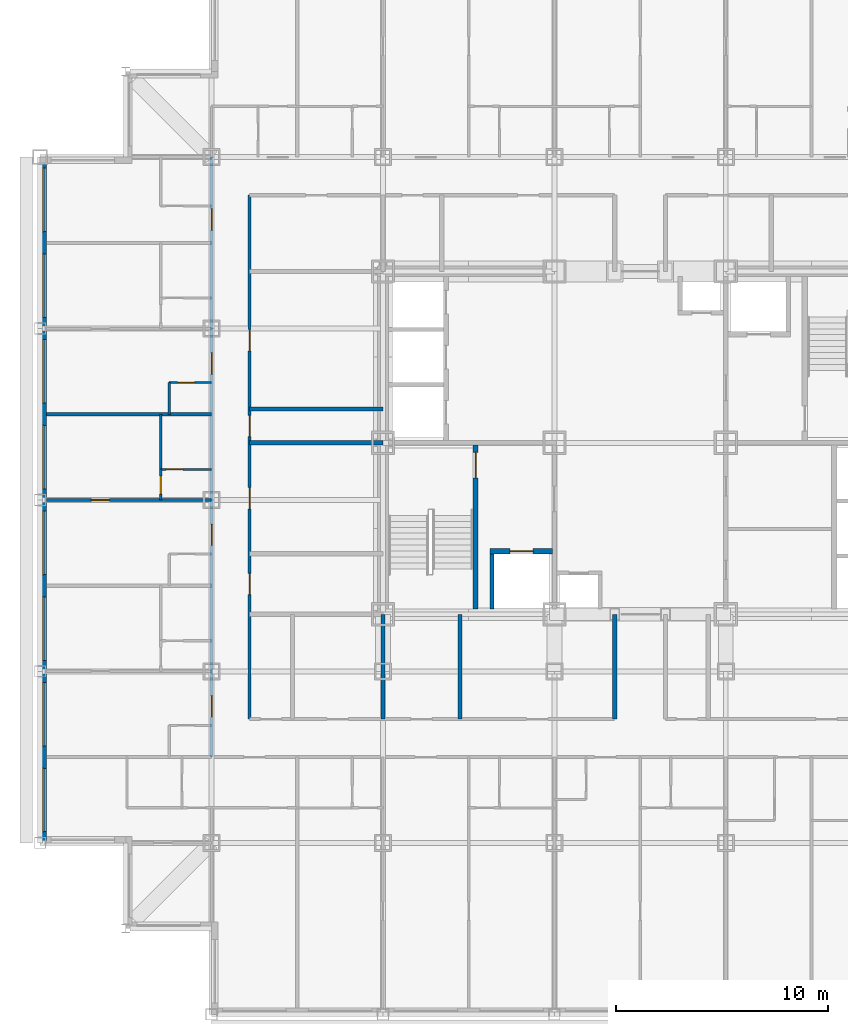
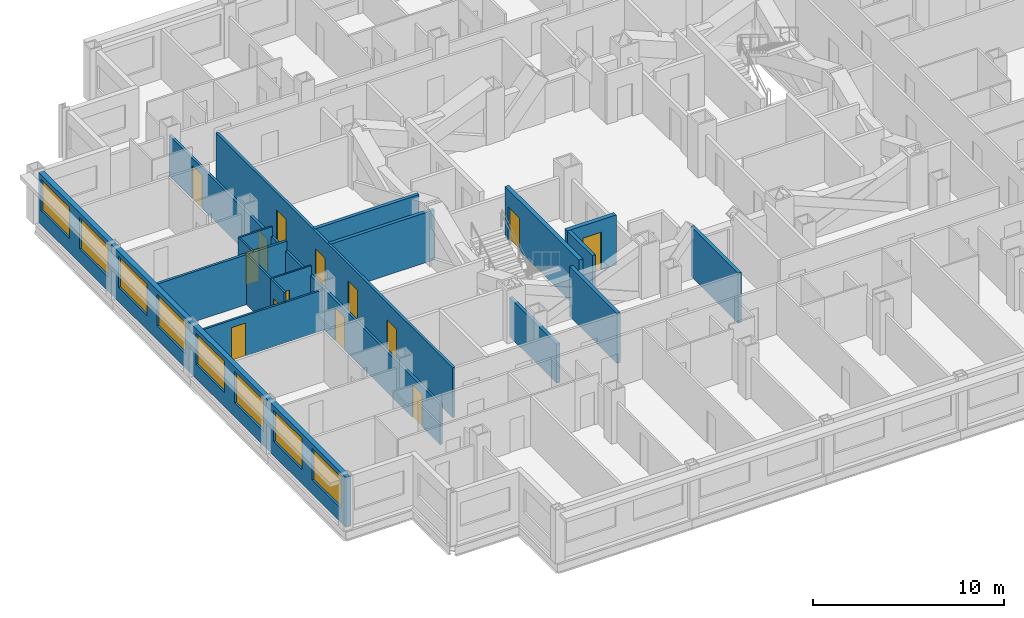
# One storey, part 6 of 13: 18 walls, 14 doors, 8 windows, 22 openings.
"""IFC4 building model written with IfcOpenShell, lengths in metres."""

from ifc_helpers import new_model, si_unit, direction, frame, frame_2d, origin, place, context, subcontext, project, spatial, rectangle, extrude, material, layer, layer_set, type_object, element, fill, save


model = new_model("IFC4")

# Units and contexts
model_context = context("Model", 3, precision=1e-05, world=origin(), true_north=direction((0.0, 1.0)))
body_context = subcontext(model_context, "Body", "Model", "MODEL_VIEW")
ifc_project = project(units=[si_unit("LENGTHUNIT", "METRE"), si_unit("AREAUNIT", "SQUARE_METRE"), si_unit("VOLUMEUNIT", "CUBIC_METRE"), si_unit("PLANEANGLEUNIT", "RADIAN"), si_unit("MASSUNIT", "GRAM", prefix="KILO")], contexts=[model_context])

# Site, building, storey
site_placement = place(None, origin())
site = spatial("IfcSite", under=ifc_project, at=site_placement, CompositionType="ELEMENT")
building_placement = place(site_placement, origin())
building = spatial("IfcBuilding", under=site, at=building_placement, Name="Kopane Lantern Tower", CompositionType="ELEMENT")
storey_placement = place(building_placement, frame((0.0, 0.0, 134.0)))
storey = spatial("IfcBuildingStorey", under=building, at=storey_placement, Name="L34", CompositionType="ELEMENT", Elevation=134.0)

# Wall, opening, door
ifc_material_1 = material(Name="Gypsum board on steel studs", Category="steel")
ifc_layer_1 = layer(ifc_material_1, 0.1201171875)
ifc_layer_set_1 = layer_set([ifc_layer_1], Name="APARTMENT INTERNAL WALL 120")
wall_type_1 = type_object("IfcWallType", Name="APARTMENT INTERNAL WALL 120", PredefinedType="PARTITIONING", material=ifc_layer_set_1)
wall_1_placement = place(storey_placement, frame((8.10009765625, 29.699951171875, 0.0), z_axis=(0.0, 0.0, 1.0), x_axis=(-1.0, 0.0, 0.0)))
wall_1 = element("IfcWall", 1, at=wall_1_placement, inside=storey, type_object=wall_type_1, Name="Apartment Internal Wall 120 L34", PredefinedType="PARTITIONING", context=body_context, shape_type="SweptSolid", body=[
    extrude(rectangle(XDim=7.800048828125, YDim=0.1201171875, at=frame_2d((3.89990234375, 0.0))), origin(), (0.0, 0.0, 1.0), 2.577880859375),
])
opening_1_placement = place(wall_1_placement, frame((4.824951171875, 0.0, 0.0)))
opening_1 = element("IfcOpeningElement", 2, at=opening_1_placement, cuts=wall_1, Name="Opening L34-050", PredefinedType="OPENING", context=body_context, shape_type="SweptSolid", body=[
    extrude(rectangle(XDim=0.85009765625, YDim=2.10009765625, at=frame_2d((0.425048828125, 1.050048828125))), frame((0.0, 0.070068359375, 0.0), z_axis=(0.0, -1.0, 0.0), x_axis=(1.0, 0.0, 0.0)), (0.0, 0.0, 1.0), 0.14013671875),
])
ifc_material_2 = material(Name="Timber door set", Category="wood")
door_type_1 = type_object("IfcDoorType", Name="DOOR D4 850x2100", OperationType="SINGLE_SWING_LEFT", PredefinedType="DOOR", material=ifc_material_2)
door_1_placement = place(opening_1_placement, origin())
door_1 = element("IfcDoor", 3, at=door_1_placement, inside=storey, type_object=door_type_1, Name="Door L34-050", OperationType="SINGLE_SWING_RIGHT", OverallHeight=2.10009765625, OverallWidth=0.85009765625, PredefinedType="DOOR", context=body_context, shape_type="SweptSolid", body=[
    extrude(rectangle(XDim=0.85009765625, YDim=2.10009765625, at=frame_2d((0.425048828125, 1.050048828125))), frame((0.0, 0.02490234375, 0.0), z_axis=(0.0, -1.0, 0.0), x_axis=(1.0, 0.0, 0.0)), (0.0, 0.0, 1.0), 0.050048828125),
])
fill(opening_1, door_1)

wall_2_placement = place(storey_placement, frame((5.699951171875, 29.699951171875, 0.0), z_axis=(0.0, 0.0, 1.0), x_axis=(0.0, 1.0, 0.0)))
wall_2 = element("IfcWall", 4, at=wall_2_placement, inside=storey, type_object=wall_type_1, Name="Apartment Internal Wall 120 L34", PredefinedType="PARTITIONING", context=body_context, shape_type="SweptSolid", body=[
    extrude(rectangle(XDim=1.4599609375, YDim=0.1201171875, at=frame_2d((0.72998046875, 0.0))), origin(), (0.0, 0.0, 1.0), 3.18994140625),
])
opening_2_placement = place(wall_2_placement, frame((0.27490234375, 0.0, 0.0)))
opening_2 = element("IfcOpeningElement", 5, at=opening_2_placement, cuts=wall_2, Name="Opening L34-095", PredefinedType="OPENING", context=body_context, shape_type="SweptSolid", body=[
    extrude(rectangle(XDim=0.85009765625, YDim=2.10009765625, at=frame_2d((0.425048828125, 1.050048828125))), frame((0.0, 0.070068359375, 0.0), z_axis=(0.0, -1.0, 0.0), x_axis=(1.0, 0.0, 0.0)), (0.0, 0.0, 1.0), 0.14013671875),
])
door_2_placement = place(opening_2_placement, origin())
door_2 = element("IfcDoor", 6, at=door_2_placement, inside=storey, type_object=door_type_1, Name="Door L34-095", OperationType="SINGLE_SWING_LEFT", OverallHeight=2.10009765625, OverallWidth=0.85009765625, PredefinedType="DOOR", context=body_context, shape_type="SweptSolid", body=[
    extrude(rectangle(XDim=0.85009765625, YDim=2.10009765625, at=frame_2d((0.425048828125, 1.050048828125))), frame((0.0, 0.02490234375, 0.0), z_axis=(0.0, -1.0, 0.0), x_axis=(1.0, 0.0, 0.0)), (0.0, 0.0, 1.0), 0.050048828125),
])
fill(opening_2, door_2)

# Wall
ifc_material_3 = material(Name="Moisture-resistant board on steel studs", Category="steel")
ifc_layer_2 = layer(ifc_material_3, 0.10009765625)
ifc_layer_set_2 = layer_set([ifc_layer_2], Name="BATHROOM WALL 100")
wall_type_2 = type_object("IfcWallType", Name="BATHROOM WALL 100", PredefinedType="PARTITIONING", material=ifc_layer_set_2)
wall_3_placement = place(storey_placement, frame((5.699951171875, 31.14990234375, 0.0), z_axis=(0.0, 0.0, 1.0), x_axis=(0.0, 1.0, 0.0)))
element("IfcWall", 7, at=wall_3_placement, inside=storey, type_object=wall_type_2, Name="Bathroom Wall 100 L34", PredefinedType="PARTITIONING", context=body_context, shape_type="SweptSolid", body=[
    extrude(rectangle(XDim=2.60009765625, YDim=0.10009765625, at=frame_2d((1.300048828125, 0.0))), origin(), (0.0, 0.0, 1.0), 3.18994140625),
])

# Wall, opening, door
wall_4_placement = place(storey_placement, frame((8.10009765625, 31.14990234375, 0.0), z_axis=(0.0, 0.0, 1.0), x_axis=(-1.0, 0.0, 0.0)))
wall_4 = element("IfcWall", 8, at=wall_4_placement, inside=storey, type_object=wall_type_2, Name="Bathroom Wall 100 L34", PredefinedType="PARTITIONING", context=body_context, shape_type="SweptSolid", body=[
    extrude(rectangle(XDim=2.400146484375, YDim=0.10009765625, at=frame_2d((1.2001953125, 0.0))), origin(), (0.0, 0.0, 1.0), 3.18994140625),
])
opening_3_placement = place(wall_4_placement, frame((1.35009765625, 0.0, 0.0)))
opening_3 = element("IfcOpeningElement", 9, at=opening_3_placement, cuts=wall_4, Name="Opening L34-049", PredefinedType="OPENING", context=body_context, shape_type="SweptSolid", body=[
    extrude(rectangle(XDim=0.800048828125, YDim=2.10009765625, at=frame_2d((0.39990234375, 1.050048828125))), frame((0.0, 0.06005859375, 0.0), z_axis=(0.0, -1.0, 0.0), x_axis=(1.0, 0.0, 0.0)), (0.0, 0.0, 1.0), 0.1201171875),
])
ifc_material_4 = material(Name="Timber door set", Category="wood")
door_type_2 = type_object("IfcDoorType", Name="DOOR D2 800x2100", OperationType="SINGLE_SWING_LEFT", PredefinedType="DOOR", material=ifc_material_4)
door_3_placement = place(opening_3_placement, origin())
door_3 = element("IfcDoor", 10, at=door_3_placement, inside=storey, type_object=door_type_2, Name="Door L34-049", OperationType="SINGLE_SWING_RIGHT", OverallHeight=2.10009765625, OverallWidth=0.800048828125, PredefinedType="DOOR", context=body_context, shape_type="SweptSolid", body=[
    extrude(rectangle(XDim=0.800048828125, YDim=2.10009765625, at=frame_2d((0.39990234375, 1.050048828125))), frame((0.0, 0.02490234375, 0.0), z_axis=(0.0, -1.0, 0.0), x_axis=(1.0, 0.0, 0.0)), (0.0, 0.0, 1.0), 0.050048828125),
])
fill(opening_3, door_3)

# Wall
wall_5_placement = place(storey_placement, frame((6.10009765625, 33.75, 0.0), z_axis=(0.0, 0.0, 1.0), x_axis=(0.0, 1.0, 0.0)))
element("IfcWall", 11, at=wall_5_placement, inside=storey, type_object=wall_type_2, Name="Bathroom Wall 100 L34", PredefinedType="PARTITIONING", context=body_context, shape_type="SweptSolid", body=[
    extrude(rectangle(XDim=1.5, YDim=0.10009765625, at=frame_2d((0.75, 0.0))), origin(), (0.0, 0.0, 1.0), 3.18994140625),
])

# Wall, opening, door
wall_6_placement = place(storey_placement, frame((8.10009765625, 35.25, 0.0), z_axis=(0.0, 0.0, 1.0), x_axis=(-1.0, 0.0, 0.0)))
wall_6 = element("IfcWall", 12, at=wall_6_placement, inside=storey, type_object=wall_type_2, Name="Bathroom Wall 100 L34", PredefinedType="PARTITIONING", context=body_context, shape_type="SweptSolid", body=[
    extrude(rectangle(XDim=2.0, YDim=0.10009765625, at=frame_2d((1.0, 0.0))), origin(), (0.0, 0.0, 1.0), 3.18994140625),
])
opening_4_placement = place(wall_6_placement, frame((0.800048828125, 0.0, 0.0)))
opening_4 = element("IfcOpeningElement", 13, at=opening_4_placement, cuts=wall_6, Name="Opening L34-051", PredefinedType="OPENING", context=body_context, shape_type="SweptSolid", body=[
    extrude(rectangle(XDim=0.800048828125, YDim=2.10009765625, at=frame_2d((0.39990234375, 1.050048828125))), frame((0.0, 0.06005859375, 0.0), z_axis=(0.0, -1.0, 0.0), x_axis=(1.0, 0.0, 0.0)), (0.0, 0.0, 1.0), 0.1201171875),
])
door_4_placement = place(opening_4_placement, origin())
door_4 = element("IfcDoor", 14, at=door_4_placement, inside=storey, type_object=door_type_2, Name="Door L34-051", OperationType="SINGLE_SWING_RIGHT", OverallHeight=2.10009765625, OverallWidth=0.800048828125, PredefinedType="DOOR", context=body_context, shape_type="SweptSolid", body=[
    extrude(rectangle(XDim=0.800048828125, YDim=2.10009765625, at=frame_2d((0.39990234375, 1.050048828125))), frame((0.0, 0.02490234375, 0.0), z_axis=(0.0, -1.0, 0.0), x_axis=(1.0, 0.0, 0.0)), (0.0, 0.0, 1.0), 0.050048828125),
])
fill(opening_4, door_4)

ifc_material_5 = material(Name="Gypsum shaft wall EI 120", Category="gypsum")
ifc_layer_3 = layer(ifc_material_5, 0.25)
ifc_layer_set_3 = layer_set([ifc_layer_3], Name="CORE SHAFT WALL 250 EI 120")
wall_type_3 = type_object("IfcWallType", Name="CORE SHAFT WALL 250 EI 120", PredefinedType="SOLIDWALL", material=ifc_layer_set_3)
wall_7_placement = place(storey_placement, frame((20.574951171875, 24.550048828125, 0.0), z_axis=(0.0, 0.0, 1.0), x_axis=(0.0, 1.0, 0.0)))
wall_7 = element("IfcWall", 15, at=wall_7_placement, inside=storey, type_object=wall_type_3, Name="Core shaft wall L34 XST1", PredefinedType="SOLIDWALL", context=body_context, shape_type="SweptSolid", body=[
    extrude(rectangle(XDim=7.75, YDim=0.25, at=frame_2d((3.875, 0.0))), origin(), (0.0, 0.0, 1.0), 3.18994140625),
])
opening_5_placement = place(wall_7_placement, frame((6.199951171875, 0.0, 0.0)))
opening_5 = element("IfcOpeningElement", 16, at=opening_5_placement, cuts=wall_7, Name="Opening 34.SD1", PredefinedType="OPENING", context=body_context, shape_type="SweptSolid", body=[
    extrude(rectangle(XDim=1.199951171875, YDim=2.10009765625, at=frame_2d((0.60009765625, 1.050048828125))), frame((0.0, 0.135009765625, 0.0), z_axis=(0.0, -1.0, 0.0), x_axis=(1.0, 0.0, 0.0)), (0.0, 0.0, 1.0), 0.27001953125),
])
ifc_material_6 = material(Name="Steel door set", Category="steel")
door_type_3 = type_object("IfcDoorType", Name="STAIR DOOR 1200x2100 FD60S", OperationType="SINGLE_SWING_LEFT", PredefinedType="DOOR", material=ifc_material_6)
door_5_placement = place(opening_5_placement, origin())
door_5 = element("IfcDoor", 17, at=door_5_placement, inside=storey, type_object=door_type_3, Name="Stair door ST1 L34", OperationType="SINGLE_SWING_LEFT", OverallHeight=2.10009765625, OverallWidth=1.199951171875, PredefinedType="DOOR", context=body_context, shape_type="SweptSolid", body=[
    extrude(rectangle(XDim=1.199951171875, YDim=2.10009765625, at=frame_2d((0.60009765625, 1.050048828125))), frame((0.0, 0.02490234375, 0.0), z_axis=(0.0, -1.0, 0.0), x_axis=(1.0, 0.0, 0.0)), (0.0, 0.0, 1.0), 0.050048828125),
])
fill(opening_5, door_5)

wall_8_placement = place(storey_placement, frame((21.25, 27.27490234375, 0.0), z_axis=(0.0, 0.0, 1.0), x_axis=(1.0, 0.0, 0.0)))
wall_8 = element("IfcWall", 18, at=wall_8_placement, inside=storey, type_object=wall_type_3, Name="Core shaft wall L34 YLF1", PredefinedType="SOLIDWALL", context=body_context, shape_type="SweptSolid", body=[
    extrude(rectangle(XDim=2.949951171875, YDim=0.25, at=frame_2d((1.47509765625, 0.0))), origin(), (0.0, 0.0, 1.0), 3.18994140625),
])
opening_6_placement = place(wall_8_placement, frame((0.949951171875, 0.0, 0.0)))
opening_6 = element("IfcOpeningElement", 19, at=opening_6_placement, cuts=wall_8, Name="Opening 34.LD-LF1", PredefinedType="OPENING", context=body_context, shape_type="SweptSolid", body=[
    extrude(rectangle(XDim=1.10009765625, YDim=2.39990234375, at=frame_2d((0.550048828125, 1.199951171875))), frame((0.0, 0.135009765625, 0.0), z_axis=(0.0, -1.0, 0.0), x_axis=(1.0, 0.0, 0.0)), (0.0, 0.0, 1.0), 0.27001953125),
])
ifc_material_7 = material(Name="Steel door set", Category="steel")
door_type_4 = type_object("IfcDoorType", Name="LIFT LANDING DOOR 1100x2400 FD60", OperationType="DOUBLE_DOOR_SLIDING", PredefinedType="DOOR", material=ifc_material_7)
door_6_placement = place(opening_6_placement, origin())
door_6 = element("IfcDoor", 20, at=door_6_placement, inside=storey, type_object=door_type_4, Name="Landing door LF1 L34", OperationType="DOUBLE_DOOR_SLIDING", OverallHeight=2.39990234375, OverallWidth=1.10009765625, PredefinedType="DOOR", context=body_context, shape_type="SweptSolid", body=[
    extrude(rectangle(XDim=1.10009765625, YDim=2.39990234375, at=frame_2d((0.550048828125, 1.199951171875))), frame((0.0, 0.02490234375, 0.0), z_axis=(0.0, -1.0, 0.0), x_axis=(1.0, 0.0, 0.0)), (0.0, 0.0, 1.0), 0.050048828125),
])
fill(opening_6, door_6)

# Wall, openings, doors
ifc_material_8 = material(Name="Gypsum board on steel studs", Category="steel")
ifc_layer_4 = layer(ifc_material_8, 0.14990234375)
ifc_layer_set_4 = layer_set([ifc_layer_4], Name="CORRIDOR WALL 150 EI 60")
wall_type_4 = type_object("IfcWallType", Name="CORRIDOR WALL 150 EI 60", PredefinedType="PARTITIONING", material=ifc_layer_set_4)
wall_9_placement = place(storey_placement, frame((8.10009765625, 17.550048828125, 0.0), z_axis=(0.0, 0.0, 1.0), x_axis=(0.0, 1.0, 0.0)))
wall_9 = element("IfcWall", 21, at=wall_9_placement, inside=storey, type_object=wall_type_4, Name="Corridor Wall 150 Ei 60 L34", PredefinedType="PARTITIONING", context=body_context, shape_type="SweptSolid", body=[
    extrude(rectangle(XDim=28.349853515625, YDim=0.14990234375, at=frame_2d((14.1748046875, 0.0))), origin(), (0.0, 0.0, 1.0), 2.577880859375),
])
opening_7_placement = place(wall_9_placement, frame((1.89990234375, 0.0, 0.0)))
opening_7 = element("IfcOpeningElement", 22, at=opening_7_placement, cuts=wall_9, Name="Opening L34-044", PredefinedType="OPENING", context=body_context, shape_type="SweptSolid", body=[
    extrude(rectangle(XDim=1.0, YDim=2.10009765625, at=frame_2d((0.5, 1.050048828125))), frame((0.0, 0.0849609375, 0.0), z_axis=(0.0, -1.0, 0.0), x_axis=(1.0, 0.0, 0.0)), (0.0, 0.0, 1.0), 0.169921875),
])
opening_8_placement = place(wall_9_placement, frame((10.0, 0.0, 0.0)))
opening_8 = element("IfcOpeningElement", 23, at=opening_8_placement, cuts=wall_9, Name="Opening L34-048", PredefinedType="OPENING", context=body_context, shape_type="SweptSolid", body=[
    extrude(rectangle(XDim=1.0, YDim=2.10009765625, at=frame_2d((0.5, 1.050048828125))), frame((0.0, 0.0849609375, 0.0), z_axis=(0.0, -1.0, 0.0), x_axis=(1.0, 0.0, 0.0)), (0.0, 0.0, 1.0), 0.169921875),
])
opening_9_placement = place(wall_9_placement, frame((18.10009765625, 0.0, 0.0)))
opening_9 = element("IfcOpeningElement", 24, at=opening_9_placement, cuts=wall_9, Name="Opening L34-052", PredefinedType="OPENING", context=body_context, shape_type="SweptSolid", body=[
    extrude(rectangle(XDim=1.0, YDim=2.10009765625, at=frame_2d((0.5, 1.050048828125))), frame((0.0, 0.0849609375, 0.0), z_axis=(0.0, -1.0, 0.0), x_axis=(1.0, 0.0, 0.0)), (0.0, 0.0, 1.0), 0.169921875),
])
opening_10_placement = place(wall_9_placement, frame((24.89990234375, 0.0, 0.0)))
opening_10 = element("IfcOpeningElement", 25, at=opening_10_placement, cuts=wall_9, Name="Opening L34-056", PredefinedType="OPENING", context=body_context, shape_type="SweptSolid", body=[
    extrude(rectangle(XDim=1.0, YDim=2.10009765625, at=frame_2d((0.5, 1.050048828125))), frame((0.0, 0.0849609375, 0.0), z_axis=(0.0, -1.0, 0.0), x_axis=(1.0, 0.0, 0.0)), (0.0, 0.0, 1.0), 0.169921875),
])
ifc_material_9 = material(Name="Steel door set", Category="steel")
door_type_5 = type_object("IfcDoorType", Name="DOOR D1 1000x2100 FD30S", OperationType="SINGLE_SWING_LEFT", PredefinedType="DOOR", material=ifc_material_9)
door_7_placement = place(opening_7_placement, origin())
door_7 = element("IfcDoor", 26, at=door_7_placement, inside=storey, type_object=door_type_5, Name="Door L34-044", OperationType="SINGLE_SWING_LEFT", OverallHeight=2.10009765625, OverallWidth=1.0, PredefinedType="DOOR", context=body_context, shape_type="SweptSolid", body=[
    extrude(rectangle(XDim=1.0, YDim=2.10009765625, at=frame_2d((0.5, 1.050048828125))), frame((0.0, 0.02490234375, 0.0), z_axis=(0.0, -1.0, 0.0), x_axis=(1.0, 0.0, 0.0)), (0.0, 0.0, 1.0), 0.050048828125),
])
fill(opening_7, door_7)
door_8_placement = place(opening_8_placement, origin())
door_8 = element("IfcDoor", 27, at=door_8_placement, inside=storey, type_object=door_type_5, Name="Door L34-048", OperationType="SINGLE_SWING_LEFT", OverallHeight=2.10009765625, OverallWidth=1.0, PredefinedType="DOOR", context=body_context, shape_type="SweptSolid", body=[
    extrude(rectangle(XDim=1.0, YDim=2.10009765625, at=frame_2d((0.5, 1.050048828125))), frame((0.0, 0.02490234375, 0.0), z_axis=(0.0, -1.0, 0.0), x_axis=(1.0, 0.0, 0.0)), (0.0, 0.0, 1.0), 0.050048828125),
])
fill(opening_8, door_8)
door_9_placement = place(opening_9_placement, origin())
door_9 = element("IfcDoor", 28, at=door_9_placement, inside=storey, type_object=door_type_5, Name="Door L34-052", OperationType="SINGLE_SWING_LEFT", OverallHeight=2.10009765625, OverallWidth=1.0, PredefinedType="DOOR", context=body_context, shape_type="SweptSolid", body=[
    extrude(rectangle(XDim=1.0, YDim=2.10009765625, at=frame_2d((0.5, 1.050048828125))), frame((0.0, 0.02490234375, 0.0), z_axis=(0.0, -1.0, 0.0), x_axis=(1.0, 0.0, 0.0)), (0.0, 0.0, 1.0), 0.050048828125),
])
fill(opening_9, door_9)
door_10_placement = place(opening_10_placement, origin())
door_10 = element("IfcDoor", 29, at=door_10_placement, inside=storey, type_object=door_type_5, Name="Door L34-056", OperationType="SINGLE_SWING_RIGHT", OverallHeight=2.10009765625, OverallWidth=1.0, PredefinedType="DOOR", context=body_context, shape_type="SweptSolid", body=[
    extrude(rectangle(XDim=1.0, YDim=2.10009765625, at=frame_2d((0.5, 1.050048828125))), frame((0.0, 0.02490234375, 0.0), z_axis=(0.0, -1.0, 0.0), x_axis=(1.0, 0.0, 0.0)), (0.0, 0.0, 1.0), 0.050048828125),
])
fill(opening_10, door_10)

wall_10_placement = place(storey_placement, frame((9.89990234375, 44.10009765625, 0.0), z_axis=(0.0, 0.0, 1.0), x_axis=(0.0, -1.0, 0.0)))
wall_10 = element("IfcWall", 30, at=wall_10_placement, inside=storey, type_object=wall_type_4, Name="Corridor Wall 150 Ei 60 L34", PredefinedType="PARTITIONING", context=body_context, shape_type="SweptSolid", body=[
    extrude(rectangle(XDim=24.75, YDim=0.14990234375, at=frame_2d((12.375, 0.0))), origin(), (0.0, 0.0, 1.0), 3.18994140625),
])
opening_11_placement = place(wall_10_placement, frame((17.871337890625, 0.0, 0.0)))
opening_11 = element("IfcOpeningElement", 31, at=opening_11_placement, cuts=wall_10, Name="Opening L34-001", PredefinedType="OPENING", context=body_context, shape_type="SweptSolid", body=[
    extrude(rectangle(XDim=1.0, YDim=2.10009765625, at=frame_2d((0.5, 1.050048828125))), frame((0.0, 0.0849609375, 0.0), z_axis=(0.0, -1.0, 0.0), x_axis=(1.0, 0.0, 0.0)), (0.0, 0.0, 1.0), 0.169921875),
])
opening_12_placement = place(wall_10_placement, frame((13.8212890625, 0.0, 0.0)))
opening_12 = element("IfcOpeningElement", 32, at=opening_12_placement, cuts=wall_10, Name="Opening L34-002", PredefinedType="OPENING", context=body_context, shape_type="SweptSolid", body=[
    extrude(rectangle(XDim=1.0, YDim=2.10009765625, at=frame_2d((0.5, 1.050048828125))), frame((0.0, 0.0849609375, 0.0), z_axis=(0.0, -1.0, 0.0), x_axis=(1.0, 0.0, 0.0)), (0.0, 0.0, 1.0), 0.169921875),
])
opening_13_placement = place(wall_10_placement, frame((10.39990234375, 0.0, 0.0)))
opening_13 = element("IfcOpeningElement", 33, at=opening_13_placement, cuts=wall_10, Name="Opening L34-003", PredefinedType="OPENING", context=body_context, shape_type="SweptSolid", body=[
    extrude(rectangle(XDim=1.0, YDim=2.10009765625, at=frame_2d((0.5, 1.050048828125))), frame((0.0, 0.0849609375, 0.0), z_axis=(0.0, -1.0, 0.0), x_axis=(1.0, 0.0, 0.0)), (0.0, 0.0, 1.0), 0.169921875),
])
opening_14_placement = place(wall_10_placement, frame((6.35009765625, 0.0, 0.0)))
opening_14 = element("IfcOpeningElement", 34, at=opening_14_placement, cuts=wall_10, Name="Opening L34-004", PredefinedType="OPENING", context=body_context, shape_type="SweptSolid", body=[
    extrude(rectangle(XDim=1.0, YDim=2.10009765625, at=frame_2d((0.5, 1.050048828125))), frame((0.0, 0.0849609375, 0.0), z_axis=(0.0, -1.0, 0.0), x_axis=(1.0, 0.0, 0.0)), (0.0, 0.0, 1.0), 0.169921875),
])
ifc_material_10 = material(Name="Steel door set", Category="steel")
door_type_6 = type_object("IfcDoorType", Name="DOOR D5 1000x2100 FD60", OperationType="SINGLE_SWING_LEFT", PredefinedType="DOOR", material=ifc_material_10)
door_11_placement = place(opening_11_placement, origin())
door_11 = element("IfcDoor", 35, at=door_11_placement, inside=storey, type_object=door_type_6, Name="Door L34-001", OperationType="SINGLE_SWING_RIGHT", OverallHeight=2.10009765625, OverallWidth=1.0, PredefinedType="DOOR", context=body_context, shape_type="SweptSolid", body=[
    extrude(rectangle(XDim=1.0, YDim=2.10009765625, at=frame_2d((0.5, 1.050048828125))), frame((0.0, 0.02490234375, 0.0), z_axis=(0.0, -1.0, 0.0), x_axis=(1.0, 0.0, 0.0)), (0.0, 0.0, 1.0), 0.050048828125),
])
fill(opening_11, door_11)
door_12_placement = place(opening_12_placement, origin())
door_12 = element("IfcDoor", 36, at=door_12_placement, inside=storey, type_object=door_type_6, Name="Door L34-002", OperationType="SINGLE_SWING_LEFT", OverallHeight=2.10009765625, OverallWidth=1.0, PredefinedType="DOOR", context=body_context, shape_type="SweptSolid", body=[
    extrude(rectangle(XDim=1.0, YDim=2.10009765625, at=frame_2d((0.5, 1.050048828125))), frame((0.0, 0.02490234375, 0.0), z_axis=(0.0, -1.0, 0.0), x_axis=(1.0, 0.0, 0.0)), (0.0, 0.0, 1.0), 0.050048828125),
])
fill(opening_12, door_12)
door_13_placement = place(opening_13_placement, origin())
door_13 = element("IfcDoor", 37, at=door_13_placement, inside=storey, type_object=door_type_6, Name="Door L34-003", OperationType="SINGLE_SWING_RIGHT", OverallHeight=2.10009765625, OverallWidth=1.0, PredefinedType="DOOR", context=body_context, shape_type="SweptSolid", body=[
    extrude(rectangle(XDim=1.0, YDim=2.10009765625, at=frame_2d((0.5, 1.050048828125))), frame((0.0, 0.02490234375, 0.0), z_axis=(0.0, -1.0, 0.0), x_axis=(1.0, 0.0, 0.0)), (0.0, 0.0, 1.0), 0.050048828125),
])
fill(opening_13, door_13)
door_14_placement = place(opening_14_placement, origin())
door_14 = element("IfcDoor", 38, at=door_14_placement, inside=storey, type_object=door_type_6, Name="Door L34-004", OperationType="SINGLE_SWING_LEFT", OverallHeight=2.10009765625, OverallWidth=1.0, PredefinedType="DOOR", context=body_context, shape_type="SweptSolid", body=[
    extrude(rectangle(XDim=1.0, YDim=2.10009765625, at=frame_2d((0.5, 1.050048828125))), frame((0.0, 0.02490234375, 0.0), z_axis=(0.0, -1.0, 0.0), x_axis=(1.0, 0.0, 0.0)), (0.0, 0.0, 1.0), 0.050048828125),
])
fill(opening_14, door_14)

# Wall
ifc_material_11 = material(Name="Gypsum board on steel studs", Category="steel")
ifc_layer_5 = layer(ifc_material_11, 0.14990234375)
ifc_layer_set_5 = layer_set([ifc_layer_5], Name="DEMISING WALL 150 EI 60")
wall_type_5 = type_object("IfcWallType", Name="DEMISING WALL 150 EI 60", PredefinedType="PARTITIONING", material=ifc_layer_set_5)
wall_11_placement = place(storey_placement, frame((8.10009765625, 33.75, 0.0), z_axis=(0.0, 0.0, 1.0), x_axis=(-1.0, 0.0, 0.0)))
element("IfcWall", 39, at=wall_11_placement, inside=storey, type_object=wall_type_5, Name="Demising Wall 150 Ei 60 L34", PredefinedType="PARTITIONING", context=body_context, shape_type="SweptSolid", body=[
    extrude(rectangle(XDim=7.800048828125, YDim=0.14990234375, at=frame_2d((3.89990234375, 0.0))), origin(), (0.0, 0.0, 1.0), 3.18994140625),
])

# Wall, openings, windows
ifc_material_12 = material(Name="Terracotta rainscreen on light steel framing", Category="masonry")
ifc_layer_6 = layer(ifc_material_12, 0.300048828125)
ifc_layer_set_6 = layer_set([ifc_layer_6], Name="EXTERNAL WALL EW1 300 TERRACOTTA")
wall_type_6 = type_object("IfcWallType", Name="EXTERNAL WALL EW1 300 TERRACOTTA", PredefinedType="SOLIDWALL", material=ifc_layer_set_6)
wall_12_placement = place(storey_placement, frame((0.14990234375, 45.60009765625, 0.0), z_axis=(0.0, 0.0, 1.0), x_axis=(0.0, -1.0, 0.0)))
wall_12 = element("IfcWall", 40, at=wall_12_placement, inside=storey, type_object=wall_type_6, Name="External wall W L34", PredefinedType="SOLIDWALL", context=body_context, shape_type="SweptSolid", body=[
    extrude(rectangle(XDim=32.10009765625, YDim=0.300048828125, at=frame_2d((16.050048828125, 0.0))), origin(), (0.0, 0.0, 1.0), 3.18994140625),
])
opening_15_placement = place(wall_12_placement, frame((0.22509765625, 0.0, 0.89990234375)))
opening_15 = element("IfcOpeningElement", 41, at=opening_15_placement, cuts=wall_12, Name="Opening WR300200", PredefinedType="OPENING", context=body_context, shape_type="SweptSolid", body=[
    extrude(rectangle(XDim=3.0, YDim=2.0, at=frame_2d((1.5, 1.0))), frame((0.0, 0.159912109375, 0.0), z_axis=(0.0, -1.0, 0.0), x_axis=(1.0, 0.0, 0.0)), (0.0, 0.0, 1.0), 0.320068359375),
])
opening_16_placement = place(wall_12_placement, frame((4.27490234375, 0.0, 0.89990234375)))
opening_16 = element("IfcOpeningElement", 42, at=opening_16_placement, cuts=wall_12, Name="Opening WR300200", PredefinedType="OPENING", context=body_context, shape_type="SweptSolid", body=[
    extrude(rectangle(XDim=3.0, YDim=2.0, at=frame_2d((1.5, 1.0))), frame((0.0, 0.159912109375, 0.0), z_axis=(0.0, -1.0, 0.0), x_axis=(1.0, 0.0, 0.0)), (0.0, 0.0, 1.0), 0.320068359375),
])
opening_17_placement = place(wall_12_placement, frame((8.324951171875, 0.0, 0.89990234375)))
opening_17 = element("IfcOpeningElement", 43, at=opening_17_placement, cuts=wall_12, Name="Opening WR300200", PredefinedType="OPENING", context=body_context, shape_type="SweptSolid", body=[
    extrude(rectangle(XDim=3.0, YDim=2.0, at=frame_2d((1.5, 1.0))), frame((0.0, 0.159912109375, 0.0), z_axis=(0.0, -1.0, 0.0), x_axis=(1.0, 0.0, 0.0)), (0.0, 0.0, 1.0), 0.320068359375),
])
opening_18_placement = place(wall_12_placement, frame((12.375, 0.0, 0.89990234375)))
opening_18 = element("IfcOpeningElement", 44, at=opening_18_placement, cuts=wall_12, Name="Opening WR300200", PredefinedType="OPENING", context=body_context, shape_type="SweptSolid", body=[
    extrude(rectangle(XDim=3.0, YDim=2.0, at=frame_2d((1.5, 1.0))), frame((0.0, 0.159912109375, 0.0), z_axis=(0.0, -1.0, 0.0), x_axis=(1.0, 0.0, 0.0)), (0.0, 0.0, 1.0), 0.320068359375),
])
opening_19_placement = place(wall_12_placement, frame((16.425048828125, 0.0, 0.89990234375)))
opening_19 = element("IfcOpeningElement", 45, at=opening_19_placement, cuts=wall_12, Name="Opening WR300200", PredefinedType="OPENING", context=body_context, shape_type="SweptSolid", body=[
    extrude(rectangle(XDim=3.0, YDim=2.0, at=frame_2d((1.5, 1.0))), frame((0.0, 0.159912109375, 0.0), z_axis=(0.0, -1.0, 0.0), x_axis=(1.0, 0.0, 0.0)), (0.0, 0.0, 1.0), 0.320068359375),
])
opening_20_placement = place(wall_12_placement, frame((20.47509765625, 0.0, 0.89990234375)))
opening_20 = element("IfcOpeningElement", 46, at=opening_20_placement, cuts=wall_12, Name="Opening WR300200", PredefinedType="OPENING", context=body_context, shape_type="SweptSolid", body=[
    extrude(rectangle(XDim=3.0, YDim=2.0, at=frame_2d((1.5, 1.0))), frame((0.0, 0.159912109375, 0.0), z_axis=(0.0, -1.0, 0.0), x_axis=(1.0, 0.0, 0.0)), (0.0, 0.0, 1.0), 0.320068359375),
])
opening_21_placement = place(wall_12_placement, frame((24.52490234375, 0.0, 0.89990234375)))
opening_21 = element("IfcOpeningElement", 47, at=opening_21_placement, cuts=wall_12, Name="Opening WR300200", PredefinedType="OPENING", context=body_context, shape_type="SweptSolid", body=[
    extrude(rectangle(XDim=3.0, YDim=2.0, at=frame_2d((1.5, 1.0))), frame((0.0, 0.159912109375, 0.0), z_axis=(0.0, -1.0, 0.0), x_axis=(1.0, 0.0, 0.0)), (0.0, 0.0, 1.0), 0.320068359375),
])
opening_22_placement = place(wall_12_placement, frame((28.574951171875, 0.0, 0.89990234375)))
opening_22 = element("IfcOpeningElement", 48, at=opening_22_placement, cuts=wall_12, Name="Opening WR300200", PredefinedType="OPENING", context=body_context, shape_type="SweptSolid", body=[
    extrude(rectangle(XDim=3.0, YDim=2.0, at=frame_2d((1.5, 1.0))), frame((0.0, 0.159912109375, 0.0), z_axis=(0.0, -1.0, 0.0), x_axis=(1.0, 0.0, 0.0)), (0.0, 0.0, 1.0), 0.320068359375),
])
ifc_material_13 = material(Name="Aluminium and clear glass", Category="aluminium")
window_type = type_object("IfcWindowType", Name="RIBBON WINDOW WR300200 3000x2000", PartitioningType="SINGLE_PANEL", PredefinedType="WINDOW", material=ifc_material_13)
window_1_placement = place(opening_15_placement, origin())
window_1 = element("IfcWindow", 49, at=window_1_placement, inside=storey, type_object=window_type, Name="Window W L34", OverallHeight=2.0, OverallWidth=3.0, PartitioningType="SINGLE_PANEL", PredefinedType="WINDOW", context=body_context, shape_type="SweptSolid", body=[
    extrude(rectangle(XDim=3.0, YDim=2.0, at=frame_2d((1.5, 1.0))), frame((0.0, 0.030029296875, 0.0), z_axis=(0.0, -1.0, 0.0), x_axis=(1.0, 0.0, 0.0)), (0.0, 0.0, 1.0), 0.06005859375),
])
fill(opening_15, window_1)
window_2_placement = place(opening_16_placement, origin())
window_2 = element("IfcWindow", 50, at=window_2_placement, inside=storey, type_object=window_type, Name="Window W L34", OverallHeight=2.0, OverallWidth=3.0, PartitioningType="SINGLE_PANEL", PredefinedType="WINDOW", context=body_context, shape_type="SweptSolid", body=[
    extrude(rectangle(XDim=3.0, YDim=2.0, at=frame_2d((1.5, 1.0))), frame((0.0, 0.030029296875, 0.0), z_axis=(0.0, -1.0, 0.0), x_axis=(1.0, 0.0, 0.0)), (0.0, 0.0, 1.0), 0.06005859375),
])
fill(opening_16, window_2)
window_3_placement = place(opening_17_placement, origin())
window_3 = element("IfcWindow", 51, at=window_3_placement, inside=storey, type_object=window_type, Name="Window W L34", OverallHeight=2.0, OverallWidth=3.0, PartitioningType="SINGLE_PANEL", PredefinedType="WINDOW", context=body_context, shape_type="SweptSolid", body=[
    extrude(rectangle(XDim=3.0, YDim=2.0, at=frame_2d((1.5, 1.0))), frame((0.0, 0.030029296875, 0.0), z_axis=(0.0, -1.0, 0.0), x_axis=(1.0, 0.0, 0.0)), (0.0, 0.0, 1.0), 0.06005859375),
])
fill(opening_17, window_3)
window_4_placement = place(opening_18_placement, origin())
window_4 = element("IfcWindow", 52, at=window_4_placement, inside=storey, type_object=window_type, Name="Window W L34", OverallHeight=2.0, OverallWidth=3.0, PartitioningType="SINGLE_PANEL", PredefinedType="WINDOW", context=body_context, shape_type="SweptSolid", body=[
    extrude(rectangle(XDim=3.0, YDim=2.0, at=frame_2d((1.5, 1.0))), frame((0.0, 0.030029296875, 0.0), z_axis=(0.0, -1.0, 0.0), x_axis=(1.0, 0.0, 0.0)), (0.0, 0.0, 1.0), 0.06005859375),
])
fill(opening_18, window_4)
window_5_placement = place(opening_19_placement, origin())
window_5 = element("IfcWindow", 53, at=window_5_placement, inside=storey, type_object=window_type, Name="Window W L34", OverallHeight=2.0, OverallWidth=3.0, PartitioningType="SINGLE_PANEL", PredefinedType="WINDOW", context=body_context, shape_type="SweptSolid", body=[
    extrude(rectangle(XDim=3.0, YDim=2.0, at=frame_2d((1.5, 1.0))), frame((0.0, 0.030029296875, 0.0), z_axis=(0.0, -1.0, 0.0), x_axis=(1.0, 0.0, 0.0)), (0.0, 0.0, 1.0), 0.06005859375),
])
fill(opening_19, window_5)
window_6_placement = place(opening_20_placement, origin())
window_6 = element("IfcWindow", 54, at=window_6_placement, inside=storey, type_object=window_type, Name="Window W L34", OverallHeight=2.0, OverallWidth=3.0, PartitioningType="SINGLE_PANEL", PredefinedType="WINDOW", context=body_context, shape_type="SweptSolid", body=[
    extrude(rectangle(XDim=3.0, YDim=2.0, at=frame_2d((1.5, 1.0))), frame((0.0, 0.030029296875, 0.0), z_axis=(0.0, -1.0, 0.0), x_axis=(1.0, 0.0, 0.0)), (0.0, 0.0, 1.0), 0.06005859375),
])
fill(opening_20, window_6)
window_7_placement = place(opening_21_placement, origin())
window_7 = element("IfcWindow", 55, at=window_7_placement, inside=storey, type_object=window_type, Name="Window W L34", OverallHeight=2.0, OverallWidth=3.0, PartitioningType="SINGLE_PANEL", PredefinedType="WINDOW", context=body_context, shape_type="SweptSolid", body=[
    extrude(rectangle(XDim=3.0, YDim=2.0, at=frame_2d((1.5, 1.0))), frame((0.0, 0.030029296875, 0.0), z_axis=(0.0, -1.0, 0.0), x_axis=(1.0, 0.0, 0.0)), (0.0, 0.0, 1.0), 0.06005859375),
])
fill(opening_21, window_7)
window_8_placement = place(opening_22_placement, origin())
window_8 = element("IfcWindow", 56, at=window_8_placement, inside=storey, type_object=window_type, Name="Window W L34", OverallHeight=2.0, OverallWidth=3.0, PartitioningType="SINGLE_PANEL", PredefinedType="WINDOW", context=body_context, shape_type="SweptSolid", body=[
    extrude(rectangle(XDim=3.0, YDim=2.0, at=frame_2d((1.5, 1.0))), frame((0.0, 0.030029296875, 0.0), z_axis=(0.0, -1.0, 0.0), x_axis=(1.0, 0.0, 0.0)), (0.0, 0.0, 1.0), 0.06005859375),
])
fill(opening_22, window_8)

# Walls
ifc_material_14 = material(Name="Concrete masonry", Category="masonry")
ifc_layer_7 = layer(ifc_material_14, 0.199951171875)
ifc_layer_set_7 = layer_set([ifc_layer_7], Name="PLANT ROOM WALL 200 EI 120")
wall_type_7 = type_object("IfcWallType", Name="PLANT ROOM WALL 200 EI 120", PredefinedType="SOLIDWALL", material=ifc_layer_set_7)
for number, where, z_axis, x_axis, name in (
    (57, (9.89990234375, 32.39990234375, 0.0), (0.0, 0.0, 1.0), (1.0, 0.0, 0.0), "Plant Room Wall 200 Ei 120 L34"),
    (58, (9.89990234375, 34.0, 0.0), (0.0, 0.0, 1.0), (1.0, 0.0, 0.0), "Plant Room Wall 200 Ei 120 L34"),
):
    element("IfcWall", number, at=place(storey_placement, frame(where, z_axis=z_axis, x_axis=x_axis)), inside=storey, type_object=wall_type_7, Name=name, PredefinedType="SOLIDWALL", context=body_context, shape_type="SweptSolid", body=[
        extrude(rectangle(XDim=6.300048828125, YDim=0.199951171875, at=frame_2d((3.14990234375, 0.0))), origin(), (0.0, 0.0, 1.0), 3.18994140625),
    ])
wall_13_placement = place(storey_placement, frame((16.199951171875, 19.35009765625, 0.0), z_axis=(0.0, 0.0, 1.0), x_axis=(0.0, 1.0, 0.0)))
element("IfcWall", 59, at=wall_13_placement, inside=storey, type_object=wall_type_7, Name="Plant Room Wall 200 Ei 120 L34", PredefinedType="SOLIDWALL", context=body_context, shape_type="SweptSolid", body=[
    extrude(rectangle(XDim=4.949951171875, YDim=0.199951171875, at=frame_2d((2.47509765625, 0.0))), origin(), (0.0, 0.0, 1.0), 2.489990234375),
])
for number, where, z_axis, x_axis, name in (
    (60, (19.83642578125, 19.35009765625, 0.0), (0.0, 0.0, 1.0), (0.0, 1.0, 0.0), "Plant Room Wall 200 Ei 120 L34"),
    (61, (27.14990234375, 19.35009765625, 0.0), (0.0, 0.0, 1.0), (0.0, 1.0, 0.0), "Plant Room Wall 200 Ei 120 L34"),
):
    element("IfcWall", number, at=place(storey_placement, frame(where, z_axis=z_axis, x_axis=x_axis)), inside=storey, type_object=wall_type_7, Name=name, PredefinedType="SOLIDWALL", context=body_context, shape_type="SweptSolid", body=[
        extrude(rectangle(XDim=4.949951171875, YDim=0.199951171875, at=frame_2d((2.47509765625, 0.0))), origin(), (0.0, 0.0, 1.0), 3.18994140625),
    ])
ifc_material_15 = material(Name="Gypsum shaft wall EI 120", Category="gypsum")
ifc_layer_8 = layer(ifc_material_15, 0.199951171875)
ifc_layer_set_8 = layer_set([ifc_layer_8], Name="SHAFT WALL 200 EI 120")
wall_type_8 = type_object("IfcWallType", Name="SHAFT WALL 200 EI 120", PredefinedType="SOLIDWALL", material=ifc_layer_set_8)
wall_14_placement = place(storey_placement, frame((21.35009765625, 24.550048828125, 0.0), z_axis=(0.0, 0.0, 1.0), x_axis=(0.0, 1.0, 0.0)))
element("IfcWall", 62, at=wall_14_placement, inside=storey, type_object=wall_type_8, Name="Core shaft wall L34 XLF1", PredefinedType="SOLIDWALL", context=body_context, shape_type="SweptSolid", body=[
    extrude(rectangle(XDim=2.599853515625, YDim=0.199951171875, at=frame_2d((1.2998046875, 0.0))), origin(), (0.0, 0.0, 1.0), 3.18994140625),
])

save(model, "model.ifc")
